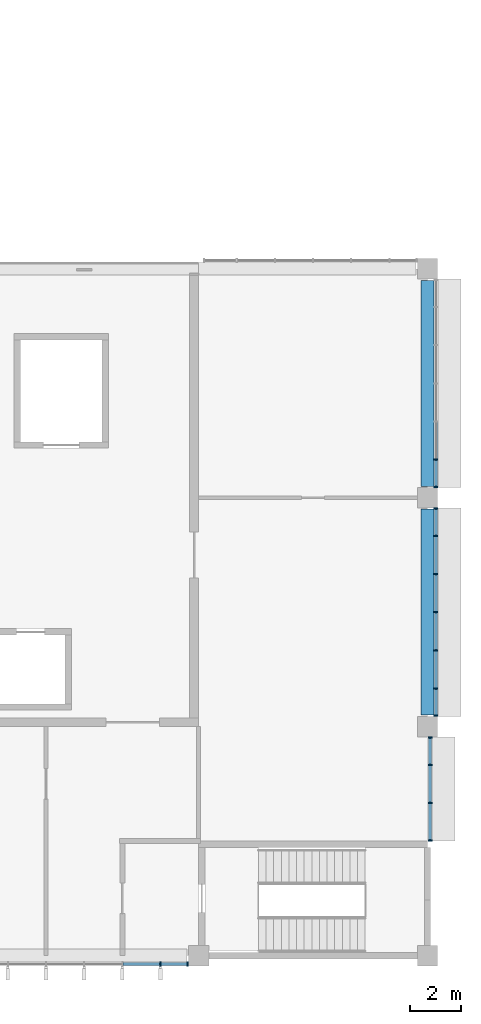
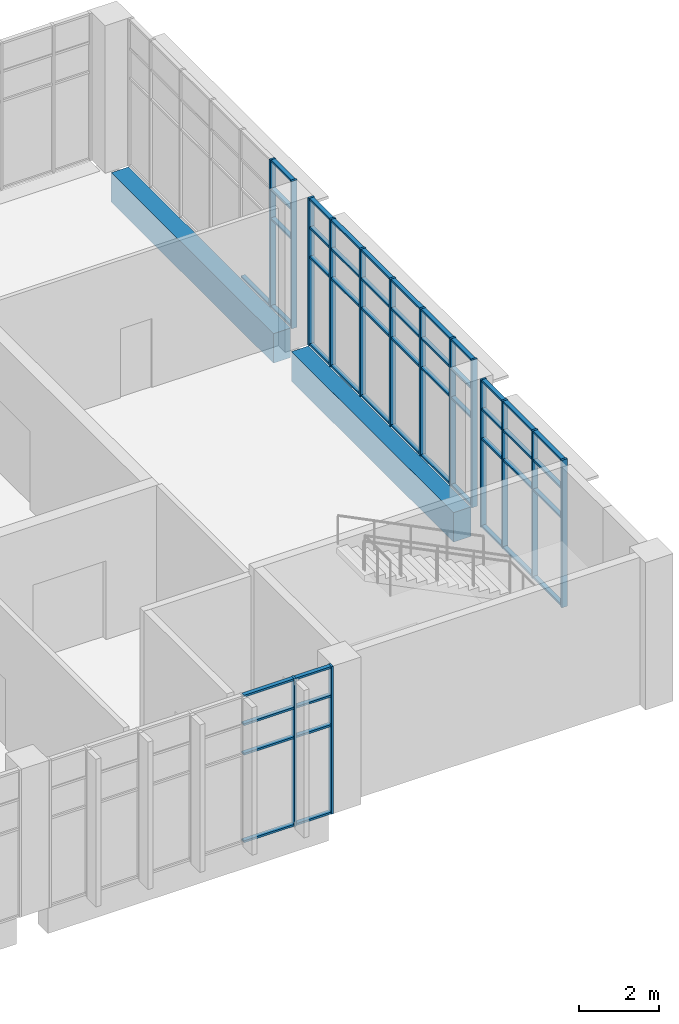
# One storey, part 13 of 40: 64 members, 2 beams, 4 elements without a shape of their own.
"""IFC4 building model written with IfcOpenShell, lengths in metres."""

import ifcopenshell
import ifcopenshell.guid

model = None  # the IFC model being written
_history = None  # IfcOwnerHistory: only IFC2X3 demands one
_inside = {}  # id of a spatial element -> (the spatial element, [elements in it])
_under = {}  # id of a project, library or spatial element -> (it, [spatial elements below it])
_declared = {}  # id of a project -> (the project, [libraries it declares])
_typed = {}  # id of a type object -> (the type object, [elements of that type])
_made_of = {}  # id of a material, layer set ... -> (it, [elements and type objects made of it])


def new_model(schema):
    """Start an empty IFC model of exactly this schema.

    Asked for "IFC4X3", IfcOpenShell would pick the latest addendum, in which some entities
    have other attributes; the version numbers below select the first issue.
    IFC2X3 requires an IfcOwnerHistory on every rooted entity: one is made here for all.
    """
    global model, _history
    if schema == "IFC4X3":
        model = ifcopenshell.file(schema_version=(4, 3, 0, 0))
    else:
        model = ifcopenshell.file(schema=schema)
    _inside.clear()
    _under.clear()
    _declared.clear()
    _typed.clear()
    _made_of.clear()
    _history = None
    if model.schema == "IFC2X3":
        org = make("IfcOrganization", Name="unknown")
        user = make(
            "IfcPersonAndOrganization",
            ThePerson=make("IfcPerson", FamilyName="unknown"),
            TheOrganization=org,
        )
        app = make(
            "IfcApplication",
            ApplicationDeveloper=org,
            Version="unknown",
            ApplicationFullName="unknown",
            ApplicationIdentifier="unknown",
        )
        _history = make(
            "IfcOwnerHistory",
            OwningUser=user,
            OwningApplication=app,
            ChangeAction="ADDED",
            CreationDate=0,
        )
    return model


def make(cls, **values):
    """One entity of the class cls with the attributes given. An attribute that is None is left unset."""
    return model.create_entity(
        cls, **{name: value for name, value in values.items() if value is not None}
    )


def rooted(cls, **values):
    """An entity with a GlobalId (a new one), such as an element, a storey or a relation."""
    return make(cls, GlobalId=ifcopenshell.guid.new(), OwnerHistory=_history, **values)


def si_unit(unit_type, name, prefix=None):
    """IfcSIUnit, for example si_unit("LENGTHUNIT", "METRE", prefix="MILLI")."""
    return make("IfcSIUnit", UnitType=unit_type, Prefix=prefix, Name=name)


def assignment(units):
    """IfcUnitAssignment: the units of a project."""
    return None if units is None else make("IfcUnitAssignment", Units=units)


def point(xyz):
    """IfcCartesianPoint."""
    return None if xyz is None else make("IfcCartesianPoint", Coordinates=xyz)


def direction(xyz):
    """IfcDirection."""
    return None if xyz is None else make("IfcDirection", DirectionRatios=xyz)


def frame(location, z_axis=None, x_axis=None):
    """IfcAxis2Placement3D, a coordinate frame: its origin and axes. An axis left out is left unset."""
    return make(
        "IfcAxis2Placement3D",
        Location=point(location),
        Axis=direction(z_axis),
        RefDirection=direction(x_axis),
    )


def frame_2d(location, x_axis=None):
    """IfcAxis2Placement2D, a coordinate frame in the plane: its origin and x axis."""
    return make(
        "IfcAxis2Placement2D", Location=point(location), RefDirection=direction(x_axis)
    )


def origin():
    """The frame at (0, 0, 0) with its axes left unset."""
    return frame((0.0, 0.0, 0.0))


def origin_2d():
    """The frame at (0, 0) in the plane with its x axis left unset."""
    return frame_2d((0.0, 0.0))


def place(relative_to, where):
    """IfcLocalPlacement: puts the frame where relative to a parent placement (None: the world)."""
    return make(
        "IfcLocalPlacement", PlacementRelTo=relative_to, RelativePlacement=where
    )


def context(
    kind, dimensions, precision=None, world=None, true_north=None, identifier=None
):
    """IfcGeometricRepresentationContext, for example the 3D "Model" context."""
    return make(
        "IfcGeometricRepresentationContext",
        ContextIdentifier=identifier,
        ContextType=kind,
        CoordinateSpaceDimension=dimensions,
        Precision=precision,
        WorldCoordinateSystem=world,
        TrueNorth=true_north,
    )


def subcontext(parent, identifier, kind, view, scale=None):
    """IfcGeometricRepresentationSubContext, for example "Body" below "Model"."""
    return make(
        "IfcGeometricRepresentationSubContext",
        ContextIdentifier=identifier,
        ContextType=kind,
        ParentContext=parent,
        TargetScale=scale,
        TargetView=view,
    )


def project(units=None, contexts=None):
    """IfcProject with its units and contexts."""
    return rooted(
        "IfcProject",
        Name="project",
        RepresentationContexts=contexts,
        UnitsInContext=assignment(units),
    )


def spatial(cls, under=None, at=None, **own):
    """A site, building, storey or space (cls), placed at a placement, below another one or the project."""
    s = rooted(cls, ObjectPlacement=at, **own)
    if under is not None:
        _under.setdefault(under.id(), (under, []))[1].append(s)
    return s


def profile(cls, at=None, kind="AREA", **sizes):
    """A parametric profile (cls). Its sizes go by their IFC names, for example OverallWidth=200.0."""
    return make(cls, ProfileType=kind, Position=at, **sizes)


def rectangle(**sizes):
    """IfcRectangleProfileDef."""
    return profile("IfcRectangleProfileDef", **sizes)


def extrude(swept, where, along, depth):
    """IfcExtrudedAreaSolid: the profile swept, set in the frame where, extruded along a direction by depth."""
    return make(
        "IfcExtrudedAreaSolid",
        SweptArea=swept,
        Position=where,
        ExtrudedDirection=direction(along),
        Depth=depth,
    )


def shape(context_of_items, identifier, shape_type, items):
    """IfcShapeRepresentation: the items that make up one representation, for example the "Body"."""
    return make(
        "IfcShapeRepresentation",
        ContextOfItems=context_of_items,
        RepresentationIdentifier=identifier,
        RepresentationType=shape_type,
        Items=items,
    )


def material(Name=None, Category=None):
    """IfcMaterial."""
    return make("IfcMaterial", Name=Name, Category=Category)


def layer(
    of_material, thickness, ventilated=None, Name=None, Category=None, Priority=None
):
    """IfcMaterialLayer: one layer of a wall or slab, of a material (None: an air gap)."""
    return make(
        "IfcMaterialLayer",
        Material=of_material,
        LayerThickness=thickness,
        IsVentilated=ventilated,
        Name=Name,
        Category=Category,
        Priority=Priority,
    )


def layer_set(layers, Name=None):
    """IfcMaterialLayerSet."""
    return make("IfcMaterialLayerSet", MaterialLayers=layers, LayerSetName=Name)


def material_profile(
    of_material, cross_section, Name=None, Category=None, Priority=None
):
    """IfcMaterialProfile: a cross section and its material."""
    return make(
        "IfcMaterialProfile",
        Name=Name,
        Material=of_material,
        Profile=cross_section,
        Priority=Priority,
        Category=Category,
    )


def profile_set(profiles, Name=None, composite=None):
    """IfcMaterialProfileSet."""
    return make(
        "IfcMaterialProfileSet",
        Name=Name,
        MaterialProfiles=profiles,
        CompositeProfile=composite,
    )


def made_of(thing, what):
    """Note that an element or type object is made of a material, layer set ...; save() writes the relation."""
    if what is not None:
        _made_of.setdefault(what.id(), (what, []))[1].append(thing)
    return thing


def type_object(cls, material=None, **own):
    """A type object (cls), such as IfcWallType, which elements share."""
    return made_of(rooted(cls, **own), material)


def element(
    cls,
    number,
    at=None,
    inside=None,
    cuts=None,
    type_object=None,
    material=None,
    context=None,
    identifier="Body",
    shape_type=None,
    held_by="IfcProductDefinitionShape",
    body=None,
    shapes=None,
    **own,
):
    """One element of the class cls, such as IfcWall. Its Tag is "e" and its number.

    at: its placement. inside: the storey or other place that contains it. cuts: it is an
    opening in that element (IfcRelVoidsElement). A single representation is given by context,
    identifier, shape_type and body (its items); several are given by shapes. held_by: the class
    of the entity that holds the representations. save() writes the other relations.
    """
    e = rooted(cls, Tag="e%d" % number, ObjectPlacement=at, **own)
    if body is not None:
        shapes = [shape(context, identifier, shape_type, body)]
    if shapes is not None:
        e.Representation = make(held_by, Representations=shapes)
    if inside is not None:
        _inside.setdefault(inside.id(), (inside, []))[1].append(e)
    if cuts is not None:
        rooted(
            "IfcRelVoidsElement", RelatingBuildingElement=cuts, RelatedOpeningElement=e
        )
    if type_object is not None:
        _typed.setdefault(type_object.id(), (type_object, []))[1].append(e)
    return made_of(e, material)


def aggregate(whole, parts):
    """IfcRelAggregates: a whole, such as a stair, and the parts it consists of."""
    return rooted("IfcRelAggregates", RelatingObject=whole, RelatedObjects=parts)


def save(model, path):
    """Write the relations noted so far, then the file.

    IfcRelAggregates (storeys below a building ...), IfcRelContainedInSpatialStructure (elements
    in a storey), IfcRelDefinesByType, IfcRelAssociatesMaterial and IfcRelDeclares: one each for
    every whole, place, type object, material and project.
    """
    for whole, parts in _under.values():
        aggregate(whole, parts)
    for where, things in _inside.values():
        rooted(
            "IfcRelContainedInSpatialStructure",
            RelatedElements=things,
            RelatingStructure=where,
        )
    for kind, things in _typed.values():
        rooted("IfcRelDefinesByType", RelatedObjects=things, RelatingType=kind)
    for what, things in _made_of.values():
        rooted("IfcRelAssociatesMaterial", RelatedObjects=things, RelatingMaterial=what)
    for by, libraries in _declared.values():
        rooted("IfcRelDeclares", RelatingContext=by, RelatedDefinitions=libraries)
    model.write(path)


model = new_model("IFC4")

# Units and contexts
model_context = context("Model", 3, precision=1e-05, world=origin(), true_north=direction((0.0, 1.0)))
body_context = subcontext(model_context, "Body", "Model", "MODEL_VIEW")
ifc_project = project(units=[si_unit("LENGTHUNIT", "METRE"), si_unit("AREAUNIT", "SQUARE_METRE"), si_unit("VOLUMEUNIT", "CUBIC_METRE"), si_unit("PLANEANGLEUNIT", "RADIAN"), si_unit("MASSUNIT", "GRAM", prefix="KILO")], contexts=[model_context])

# Site, building, storey
site_placement = place(None, origin())
site = spatial("IfcSite", under=ifc_project, at=site_placement, CompositionType="ELEMENT")
building_placement = place(site_placement, origin())
building = spatial("IfcBuilding", under=site, at=building_placement, Name="Guidao Yard Department Store", CompositionType="ELEMENT")
storey_placement = place(building_placement, frame((0.0, 0.0, 24.0)))
storey = spatial("IfcBuildingStorey", under=building, at=storey_placement, Name="L05", CompositionType="ELEMENT", Elevation=24.0)

# Curtain wall, members
ifc_material_1 = material(Name="Aluminium and glass", Category="aluminium")
ifc_layer = layer(ifc_material_1, 0.159912109375)
ifc_layer_set = layer_set([ifc_layer], Name="Unitised curtain wall CW4 1500 module")
curtain_wall_type = type_object("IfcCurtainWallType", Name="Unitised curtain wall CW4 1500 module", PredefinedType="NOTDEFINED", material=ifc_layer_set)
curtain_wall_1_placement = place(storey_placement, origin())
curtain_wall_1 = element("IfcCurtainWall", 1, at=curtain_wall_1_placement, inside=storey, type_object=curtain_wall_type, Name="Unitised curtain wall", PredefinedType="NOTDEFINED")
ifc_material_2 = material(Name="Aluminium 6063-T5", Category="aluminium")
ifc_material_profile_1 = material_profile(ifc_material_2, rectangle(XDim=0.06005859375, YDim=0.159912109375, at=origin_2d()), Name="Mullion M1 60 x 160 aluminium pressure plate")
ifc_profile_set_1 = profile_set([ifc_material_profile_1], Name="Aluminium 6063-T5")
member_type_1 = type_object("IfcMemberType", Name="Mullion M1 60 x 160 aluminium pressure plate", PredefinedType="MULLION", material=ifc_profile_set_1)
member_1_placement = place(storey_placement, frame((160.5, -0.330078125, 0.0), z_axis=(0.0, 0.0, 1.0), x_axis=(-1.0, 0.0, 0.0)))
member_1 = element("IfcMember", 2, at=member_1_placement, type_object=member_type_1, Name="CW-OW-L05-04 mullion 6", PredefinedType="MULLION", context=body_context, shape_type="SweptSolid", body=[
    extrude(rectangle(XDim=0.06005859375, YDim=0.159912109375, at=origin_2d()), origin(), (0.0, 0.0, 1.0), 4.5),
])
member_2_placement = place(storey_placement, frame((161.570068359375, -0.330078125, 0.0), z_axis=(0.0, 0.0, 1.0), x_axis=(-1.0, 0.0, 0.0)))
member_2 = element("IfcMember", 3, at=member_2_placement, type_object=member_type_1, Name="CW-OW-L05-04 mullion 7", PredefinedType="MULLION", context=body_context, shape_type="SweptSolid", body=[
    extrude(rectangle(XDim=0.06005859375, YDim=0.159912109375, at=origin_2d()), origin(), (0.0, 0.0, 1.0), 4.5),
])

curtain_wall_2_placement = place(storey_placement, origin())
curtain_wall_2 = element("IfcCurtainWall", 4, at=curtain_wall_2_placement, inside=storey, type_object=curtain_wall_type, Name="Unitised curtain wall", PredefinedType="NOTDEFINED")
member_3_placement = place(storey_placement, frame((171.10009765625, 4.530029296875, 0.0), z_axis=(0.0, 0.0, 1.0), x_axis=(0.0, -1.0, 0.0)))
member_3 = element("IfcMember", 5, at=member_3_placement, type_object=member_type_1, Name="CW-OW-L05-09 mullion 1", PredefinedType="MULLION", context=body_context, shape_type="SweptSolid", body=[
    extrude(rectangle(XDim=0.06005859375, YDim=0.159912109375, at=origin_2d()), origin(), (0.0, 0.0, 1.0), 4.5),
])
member_4_placement = place(storey_placement, frame((171.10009765625, 6.0, 0.0), z_axis=(0.0, 0.0, 1.0), x_axis=(0.0, -1.0, 0.0)))
member_4 = element("IfcMember", 6, at=member_4_placement, type_object=member_type_1, Name="CW-OW-L05-09 mullion 2", PredefinedType="MULLION", context=body_context, shape_type="SweptSolid", body=[
    extrude(rectangle(XDim=0.06005859375, YDim=0.159912109375, at=origin_2d()), origin(), (0.0, 0.0, 1.0), 4.5),
])
member_5_placement = place(storey_placement, frame((171.10009765625, 7.5, 0.0), z_axis=(0.0, 0.0, 1.0), x_axis=(0.0, -1.0, 0.0)))
member_5 = element("IfcMember", 7, at=member_5_placement, type_object=member_type_1, Name="CW-OW-L05-09 mullion 3", PredefinedType="MULLION", context=body_context, shape_type="SweptSolid", body=[
    extrude(rectangle(XDim=0.06005859375, YDim=0.159912109375, at=origin_2d()), origin(), (0.0, 0.0, 1.0), 4.5),
])
member_6_placement = place(storey_placement, frame((171.10009765625, 8.570068359375, 0.0), z_axis=(0.0, 0.0, 1.0), x_axis=(0.0, -1.0, 0.0)))
member_6 = element("IfcMember", 8, at=member_6_placement, type_object=member_type_1, Name="CW-OW-L05-09 mullion 4", PredefinedType="MULLION", context=body_context, shape_type="SweptSolid", body=[
    extrude(rectangle(XDim=0.06005859375, YDim=0.159912109375, at=origin_2d()), origin(), (0.0, 0.0, 1.0), 4.5),
])

curtain_wall_3_placement = place(storey_placement, origin())
curtain_wall_3 = element("IfcCurtainWall", 9, at=curtain_wall_3_placement, inside=storey, type_object=curtain_wall_type, Name="Unitised curtain wall", PredefinedType="NOTDEFINED")
member_7_placement = place(storey_placement, frame((171.330078125, 9.429931640625, 0.0), z_axis=(0.0, 0.0, 1.0), x_axis=(0.0, -1.0, 0.0)))
member_7 = element("IfcMember", 10, at=member_7_placement, type_object=member_type_1, Name="CW-OW-L05-10 mullion 1", PredefinedType="MULLION", context=body_context, shape_type="SweptSolid", body=[
    extrude(rectangle(XDim=0.06005859375, YDim=0.159912109375, at=origin_2d()), origin(), (0.0, 0.0, 1.0), 4.5),
])
member_8_placement = place(storey_placement, frame((171.330078125, 10.5, 0.0), z_axis=(0.0, 0.0, 1.0), x_axis=(0.0, -1.0, 0.0)))
member_8 = element("IfcMember", 11, at=member_8_placement, type_object=member_type_1, Name="CW-OW-L05-10 mullion 2", PredefinedType="MULLION", context=body_context, shape_type="SweptSolid", body=[
    extrude(rectangle(XDim=0.06005859375, YDim=0.159912109375, at=origin_2d()), origin(), (0.0, 0.0, 1.0), 4.5),
])
member_9_placement = place(storey_placement, frame((171.330078125, 12.0, 0.0), z_axis=(0.0, 0.0, 1.0), x_axis=(0.0, -1.0, 0.0)))
member_9 = element("IfcMember", 12, at=member_9_placement, type_object=member_type_1, Name="CW-OW-L05-10 mullion 3", PredefinedType="MULLION", context=body_context, shape_type="SweptSolid", body=[
    extrude(rectangle(XDim=0.06005859375, YDim=0.159912109375, at=origin_2d()), origin(), (0.0, 0.0, 1.0), 4.5),
])
member_10_placement = place(storey_placement, frame((171.330078125, 13.5, 0.0), z_axis=(0.0, 0.0, 1.0), x_axis=(0.0, -1.0, 0.0)))
member_10 = element("IfcMember", 13, at=member_10_placement, type_object=member_type_1, Name="CW-OW-L05-10 mullion 4", PredefinedType="MULLION", context=body_context, shape_type="SweptSolid", body=[
    extrude(rectangle(XDim=0.06005859375, YDim=0.159912109375, at=origin_2d()), origin(), (0.0, 0.0, 1.0), 4.5),
])
member_11_placement = place(storey_placement, frame((171.330078125, 15.0, 0.0), z_axis=(0.0, 0.0, 1.0), x_axis=(0.0, -1.0, 0.0)))
member_11 = element("IfcMember", 14, at=member_11_placement, type_object=member_type_1, Name="CW-OW-L05-10 mullion 5", PredefinedType="MULLION", context=body_context, shape_type="SweptSolid", body=[
    extrude(rectangle(XDim=0.06005859375, YDim=0.159912109375, at=origin_2d()), origin(), (0.0, 0.0, 1.0), 4.5),
])
member_12_placement = place(storey_placement, frame((171.330078125, 16.5, 0.0), z_axis=(0.0, 0.0, 1.0), x_axis=(0.0, -1.0, 0.0)))
member_12 = element("IfcMember", 15, at=member_12_placement, type_object=member_type_1, Name="CW-OW-L05-10 mullion 6", PredefinedType="MULLION", context=body_context, shape_type="SweptSolid", body=[
    extrude(rectangle(XDim=0.06005859375, YDim=0.159912109375, at=origin_2d()), origin(), (0.0, 0.0, 1.0), 4.5),
])
member_13_placement = place(storey_placement, frame((171.330078125, 17.570068359375, 0.0), z_axis=(0.0, 0.0, 1.0), x_axis=(0.0, -1.0, 0.0)))
member_13 = element("IfcMember", 16, at=member_13_placement, type_object=member_type_1, Name="CW-OW-L05-10 mullion 7", PredefinedType="MULLION", context=body_context, shape_type="SweptSolid", body=[
    extrude(rectangle(XDim=0.06005859375, YDim=0.159912109375, at=origin_2d()), origin(), (0.0, 0.0, 1.0), 4.5),
])

curtain_wall_4_placement = place(storey_placement, origin())
curtain_wall_4 = element("IfcCurtainWall", 17, at=curtain_wall_4_placement, inside=storey, type_object=curtain_wall_type, Name="Unitised curtain wall", PredefinedType="NOTDEFINED")
member_14_placement = place(storey_placement, frame((171.330078125, 18.429931640625, 0.0), z_axis=(0.0, 0.0, 1.0), x_axis=(0.0, -1.0, 0.0)))
member_14 = element("IfcMember", 18, at=member_14_placement, type_object=member_type_1, Name="CW-OW-L05-11 mullion 1", PredefinedType="MULLION", context=body_context, shape_type="SweptSolid", body=[
    extrude(rectangle(XDim=0.06005859375, YDim=0.159912109375, at=origin_2d()), origin(), (0.0, 0.0, 1.0), 4.5),
])
member_15_placement = place(storey_placement, frame((171.330078125, 19.5, 0.0), z_axis=(0.0, 0.0, 1.0), x_axis=(0.0, -1.0, 0.0)))
member_15 = element("IfcMember", 19, at=member_15_placement, type_object=member_type_1, Name="CW-OW-L05-11 mullion 2", PredefinedType="MULLION", context=body_context, shape_type="SweptSolid", body=[
    extrude(rectangle(XDim=0.06005859375, YDim=0.159912109375, at=origin_2d()), origin(), (0.0, 0.0, 1.0), 4.5),
])

# Beams
ifc_material_3 = material(Name="Concrete C40", Category="concrete")
ifc_material_profile_2 = material_profile(ifc_material_3, rectangle(XDim=0.5, YDim=0.89990234375, at=origin_2d()), Name="Spandrel beam 500 x 900 C40")
ifc_profile_set_2 = profile_set([ifc_material_profile_2], Name="Concrete C40")
beam_type = type_object("IfcBeamType", Name="Spandrel beam 500 x 900 C40", PredefinedType="SPANDREL", material=ifc_profile_set_2)
for number, where, z_axis, x_axis, name in (
    (20, (171.0, 9.449951171875, -0.449951171875), (0.0, 1.0, 0.0), (-1.0, 0.0, 0.0), "Beam FB09"),
    (21, (171.0, 18.449951171875, -0.449951171875), (0.0, 1.0, 0.0), (-1.0, 0.0, 0.0), "Beam FB10"),
):
    element("IfcBeam", number, at=place(storey_placement, frame(where, z_axis=z_axis, x_axis=x_axis)), inside=storey, type_object=beam_type, Name=name, PredefinedType="SPANDREL", context=body_context, shape_type="SweptSolid", body=[
        extrude(rectangle(XDim=0.5, YDim=0.89990234375, at=origin_2d()), origin(), (0.0, 0.0, 1.0), 8.10009765625),
    ])

# Member
ifc_material_4 = material(Name="Aluminium 6063-T5", Category="aluminium")
ifc_material_profile_3 = material_profile(ifc_material_4, rectangle(XDim=0.1201171875, YDim=0.06005859375, at=origin_2d()), Name="Transom T1 60 x 120 aluminium pressure plate")
ifc_profile_set_3 = profile_set([ifc_material_profile_3], Name="Aluminium 6063-T5")
member_type_2 = type_object("IfcMemberType", Name="Transom T1 60 x 120 aluminium pressure plate", PredefinedType="USERDEFINED", material=ifc_profile_set_3)
member_16_placement = place(storey_placement, frame((160.469970703125, -0.330078125, 0.030029296875), z_axis=(-1.0, 0.0, 0.0), x_axis=(0.0, -1.0, 0.0)))
member_16 = element("IfcMember", 22, at=member_16_placement, type_object=member_type_2, Name="CW-OW-L05-04 transom 5.1", ObjectType="TRANSOM", PredefinedType="USERDEFINED", context=body_context, shape_type="SweptSolid", body=[
    extrude(rectangle(XDim=0.1201171875, YDim=0.06005859375, at=origin_2d()), origin(), (0.0, 0.0, 1.0), 1.43994140625),
])

member_17_placement = place(storey_placement, frame((160.469970703125, -0.330078125, 2.699951171875), z_axis=(-1.0, 0.0, 0.0), x_axis=(0.0, -1.0, 0.0)))
member_17 = element("IfcMember", 23, at=member_17_placement, type_object=member_type_2, Name="CW-OW-L05-04 transom 5.2", ObjectType="TRANSOM", PredefinedType="USERDEFINED", context=body_context, shape_type="SweptSolid", body=[
    extrude(rectangle(XDim=0.1201171875, YDim=0.06005859375, at=origin_2d()), origin(), (0.0, 0.0, 1.0), 1.43994140625),
])

member_18_placement = place(storey_placement, frame((160.469970703125, -0.330078125, 3.60009765625), z_axis=(-1.0, 0.0, 0.0), x_axis=(0.0, -1.0, 0.0)))
member_18 = element("IfcMember", 24, at=member_18_placement, type_object=member_type_2, Name="CW-OW-L05-04 transom 5.3", ObjectType="TRANSOM", PredefinedType="USERDEFINED", context=body_context, shape_type="SweptSolid", body=[
    extrude(rectangle(XDim=0.1201171875, YDim=0.06005859375, at=origin_2d()), origin(), (0.0, 0.0, 1.0), 1.43994140625),
])

member_19_placement = place(storey_placement, frame((160.469970703125, -0.330078125, 4.469970703125), z_axis=(-1.0, 0.0, 0.0), x_axis=(0.0, -1.0, 0.0)))
member_19 = element("IfcMember", 25, at=member_19_placement, type_object=member_type_2, Name="CW-OW-L05-04 transom 5.4", ObjectType="TRANSOM", PredefinedType="USERDEFINED", context=body_context, shape_type="SweptSolid", body=[
    extrude(rectangle(XDim=0.1201171875, YDim=0.06005859375, at=origin_2d()), origin(), (0.0, 0.0, 1.0), 1.43994140625),
])

member_20_placement = place(storey_placement, frame((161.5400390625, -0.330078125, 0.030029296875), z_axis=(-1.0, 0.0, 0.0), x_axis=(0.0, -1.0, 0.0)))
member_20 = element("IfcMember", 26, at=member_20_placement, type_object=member_type_2, Name="CW-OW-L05-04 transom 6.1", ObjectType="TRANSOM", PredefinedType="USERDEFINED", context=body_context, shape_type="SweptSolid", body=[
    extrude(rectangle(XDim=0.1201171875, YDim=0.06005859375, at=origin_2d()), origin(), (0.0, 0.0, 1.0), 1.010009765625),
])

member_21_placement = place(storey_placement, frame((161.5400390625, -0.330078125, 2.699951171875), z_axis=(-1.0, 0.0, 0.0), x_axis=(0.0, -1.0, 0.0)))
member_21 = element("IfcMember", 27, at=member_21_placement, type_object=member_type_2, Name="CW-OW-L05-04 transom 6.2", ObjectType="TRANSOM", PredefinedType="USERDEFINED", context=body_context, shape_type="SweptSolid", body=[
    extrude(rectangle(XDim=0.1201171875, YDim=0.06005859375, at=origin_2d()), origin(), (0.0, 0.0, 1.0), 1.010009765625),
])

member_22_placement = place(storey_placement, frame((161.5400390625, -0.330078125, 3.60009765625), z_axis=(-1.0, 0.0, 0.0), x_axis=(0.0, -1.0, 0.0)))
member_22 = element("IfcMember", 28, at=member_22_placement, type_object=member_type_2, Name="CW-OW-L05-04 transom 6.3", ObjectType="TRANSOM", PredefinedType="USERDEFINED", context=body_context, shape_type="SweptSolid", body=[
    extrude(rectangle(XDim=0.1201171875, YDim=0.06005859375, at=origin_2d()), origin(), (0.0, 0.0, 1.0), 1.010009765625),
])

member_23_placement = place(storey_placement, frame((161.5400390625, -0.330078125, 4.469970703125), z_axis=(-1.0, 0.0, 0.0), x_axis=(0.0, -1.0, 0.0)))
member_23 = element("IfcMember", 29, at=member_23_placement, type_object=member_type_2, Name="CW-OW-L05-04 transom 6.4", ObjectType="TRANSOM", PredefinedType="USERDEFINED", context=body_context, shape_type="SweptSolid", body=[
    extrude(rectangle(XDim=0.1201171875, YDim=0.06005859375, at=origin_2d()), origin(), (0.0, 0.0, 1.0), 1.010009765625),
])

aggregate(curtain_wall_1, [member_1, member_2, member_16, member_17, member_18, member_19, member_20, member_21, member_22, member_23])

member_24_placement = place(storey_placement, frame((171.10009765625, 5.969970703125, 0.030029296875), z_axis=(0.0, -1.0, 0.0), x_axis=(1.0, 0.0, 0.0)))
member_24 = element("IfcMember", 30, at=member_24_placement, type_object=member_type_2, Name="CW-OW-L05-09 transom 1.1", ObjectType="TRANSOM", PredefinedType="USERDEFINED", context=body_context, shape_type="SweptSolid", body=[
    extrude(rectangle(XDim=0.1201171875, YDim=0.06005859375, at=origin_2d()), origin(), (0.0, 0.0, 1.0), 1.409912109375),
])

member_25_placement = place(storey_placement, frame((171.10009765625, 5.969970703125, 2.699951171875), z_axis=(0.0, -1.0, 0.0), x_axis=(1.0, 0.0, 0.0)))
member_25 = element("IfcMember", 31, at=member_25_placement, type_object=member_type_2, Name="CW-OW-L05-09 transom 1.2", ObjectType="TRANSOM", PredefinedType="USERDEFINED", context=body_context, shape_type="SweptSolid", body=[
    extrude(rectangle(XDim=0.1201171875, YDim=0.06005859375, at=origin_2d()), origin(), (0.0, 0.0, 1.0), 1.409912109375),
])

member_26_placement = place(storey_placement, frame((171.10009765625, 5.969970703125, 3.60009765625), z_axis=(0.0, -1.0, 0.0), x_axis=(1.0, 0.0, 0.0)))
member_26 = element("IfcMember", 32, at=member_26_placement, type_object=member_type_2, Name="CW-OW-L05-09 transom 1.3", ObjectType="TRANSOM", PredefinedType="USERDEFINED", context=body_context, shape_type="SweptSolid", body=[
    extrude(rectangle(XDim=0.1201171875, YDim=0.06005859375, at=origin_2d()), origin(), (0.0, 0.0, 1.0), 1.409912109375),
])

member_27_placement = place(storey_placement, frame((171.10009765625, 5.969970703125, 4.469970703125), z_axis=(0.0, -1.0, 0.0), x_axis=(1.0, 0.0, 0.0)))
member_27 = element("IfcMember", 33, at=member_27_placement, type_object=member_type_2, Name="CW-OW-L05-09 transom 1.4", ObjectType="TRANSOM", PredefinedType="USERDEFINED", context=body_context, shape_type="SweptSolid", body=[
    extrude(rectangle(XDim=0.1201171875, YDim=0.06005859375, at=origin_2d()), origin(), (0.0, 0.0, 1.0), 1.409912109375),
])

member_28_placement = place(storey_placement, frame((171.10009765625, 7.469970703125, 0.030029296875), z_axis=(0.0, -1.0, 0.0), x_axis=(1.0, 0.0, 0.0)))
member_28 = element("IfcMember", 34, at=member_28_placement, type_object=member_type_2, Name="CW-OW-L05-09 transom 2.1", ObjectType="TRANSOM", PredefinedType="USERDEFINED", context=body_context, shape_type="SweptSolid", body=[
    extrude(rectangle(XDim=0.1201171875, YDim=0.06005859375, at=origin_2d()), origin(), (0.0, 0.0, 1.0), 1.43994140625),
])

member_29_placement = place(storey_placement, frame((171.10009765625, 7.469970703125, 2.699951171875), z_axis=(0.0, -1.0, 0.0), x_axis=(1.0, 0.0, 0.0)))
member_29 = element("IfcMember", 35, at=member_29_placement, type_object=member_type_2, Name="CW-OW-L05-09 transom 2.2", ObjectType="TRANSOM", PredefinedType="USERDEFINED", context=body_context, shape_type="SweptSolid", body=[
    extrude(rectangle(XDim=0.1201171875, YDim=0.06005859375, at=origin_2d()), origin(), (0.0, 0.0, 1.0), 1.43994140625),
])

member_30_placement = place(storey_placement, frame((171.10009765625, 7.469970703125, 3.60009765625), z_axis=(0.0, -1.0, 0.0), x_axis=(1.0, 0.0, 0.0)))
member_30 = element("IfcMember", 36, at=member_30_placement, type_object=member_type_2, Name="CW-OW-L05-09 transom 2.3", ObjectType="TRANSOM", PredefinedType="USERDEFINED", context=body_context, shape_type="SweptSolid", body=[
    extrude(rectangle(XDim=0.1201171875, YDim=0.06005859375, at=origin_2d()), origin(), (0.0, 0.0, 1.0), 1.43994140625),
])

member_31_placement = place(storey_placement, frame((171.10009765625, 7.469970703125, 4.469970703125), z_axis=(0.0, -1.0, 0.0), x_axis=(1.0, 0.0, 0.0)))
member_31 = element("IfcMember", 37, at=member_31_placement, type_object=member_type_2, Name="CW-OW-L05-09 transom 2.4", ObjectType="TRANSOM", PredefinedType="USERDEFINED", context=body_context, shape_type="SweptSolid", body=[
    extrude(rectangle(XDim=0.1201171875, YDim=0.06005859375, at=origin_2d()), origin(), (0.0, 0.0, 1.0), 1.43994140625),
])

member_32_placement = place(storey_placement, frame((171.10009765625, 8.5400390625, 0.030029296875), z_axis=(0.0, -1.0, 0.0), x_axis=(1.0, 0.0, 0.0)))
member_32 = element("IfcMember", 38, at=member_32_placement, type_object=member_type_2, Name="CW-OW-L05-09 transom 3.1", ObjectType="TRANSOM", PredefinedType="USERDEFINED", context=body_context, shape_type="SweptSolid", body=[
    extrude(rectangle(XDim=0.1201171875, YDim=0.06005859375, at=origin_2d()), origin(), (0.0, 0.0, 1.0), 1.010009765625),
])

member_33_placement = place(storey_placement, frame((171.10009765625, 8.5400390625, 2.699951171875), z_axis=(0.0, -1.0, 0.0), x_axis=(1.0, 0.0, 0.0)))
member_33 = element("IfcMember", 39, at=member_33_placement, type_object=member_type_2, Name="CW-OW-L05-09 transom 3.2", ObjectType="TRANSOM", PredefinedType="USERDEFINED", context=body_context, shape_type="SweptSolid", body=[
    extrude(rectangle(XDim=0.1201171875, YDim=0.06005859375, at=origin_2d()), origin(), (0.0, 0.0, 1.0), 1.010009765625),
])

member_34_placement = place(storey_placement, frame((171.10009765625, 8.5400390625, 3.60009765625), z_axis=(0.0, -1.0, 0.0), x_axis=(1.0, 0.0, 0.0)))
member_34 = element("IfcMember", 40, at=member_34_placement, type_object=member_type_2, Name="CW-OW-L05-09 transom 3.3", ObjectType="TRANSOM", PredefinedType="USERDEFINED", context=body_context, shape_type="SweptSolid", body=[
    extrude(rectangle(XDim=0.1201171875, YDim=0.06005859375, at=origin_2d()), origin(), (0.0, 0.0, 1.0), 1.010009765625),
])

member_35_placement = place(storey_placement, frame((171.10009765625, 8.5400390625, 4.469970703125), z_axis=(0.0, -1.0, 0.0), x_axis=(1.0, 0.0, 0.0)))
member_35 = element("IfcMember", 41, at=member_35_placement, type_object=member_type_2, Name="CW-OW-L05-09 transom 3.4", ObjectType="TRANSOM", PredefinedType="USERDEFINED", context=body_context, shape_type="SweptSolid", body=[
    extrude(rectangle(XDim=0.1201171875, YDim=0.06005859375, at=origin_2d()), origin(), (0.0, 0.0, 1.0), 1.010009765625),
])

aggregate(curtain_wall_2, [member_3, member_4, member_5, member_6, member_24, member_25, member_26, member_27, member_28, member_29, member_30, member_31, member_32, member_33, member_34, member_35])

member_36_placement = place(storey_placement, frame((171.330078125, 10.469970703125, 0.030029296875), z_axis=(0.0, -1.0, 0.0), x_axis=(1.0, 0.0, 0.0)))
member_36 = element("IfcMember", 42, at=member_36_placement, type_object=member_type_2, Name="CW-OW-L05-10 transom 1.1", ObjectType="TRANSOM", PredefinedType="USERDEFINED", context=body_context, shape_type="SweptSolid", body=[
    extrude(rectangle(XDim=0.1201171875, YDim=0.06005859375, at=origin_2d()), origin(), (0.0, 0.0, 1.0), 1.010009765625),
])

member_37_placement = place(storey_placement, frame((171.330078125, 10.469970703125, 2.699951171875), z_axis=(0.0, -1.0, 0.0), x_axis=(1.0, 0.0, 0.0)))
member_37 = element("IfcMember", 43, at=member_37_placement, type_object=member_type_2, Name="CW-OW-L05-10 transom 1.2", ObjectType="TRANSOM", PredefinedType="USERDEFINED", context=body_context, shape_type="SweptSolid", body=[
    extrude(rectangle(XDim=0.1201171875, YDim=0.06005859375, at=origin_2d()), origin(), (0.0, 0.0, 1.0), 1.010009765625),
])

member_38_placement = place(storey_placement, frame((171.330078125, 10.469970703125, 3.60009765625), z_axis=(0.0, -1.0, 0.0), x_axis=(1.0, 0.0, 0.0)))
member_38 = element("IfcMember", 44, at=member_38_placement, type_object=member_type_2, Name="CW-OW-L05-10 transom 1.3", ObjectType="TRANSOM", PredefinedType="USERDEFINED", context=body_context, shape_type="SweptSolid", body=[
    extrude(rectangle(XDim=0.1201171875, YDim=0.06005859375, at=origin_2d()), origin(), (0.0, 0.0, 1.0), 1.010009765625),
])

member_39_placement = place(storey_placement, frame((171.330078125, 10.469970703125, 4.469970703125), z_axis=(0.0, -1.0, 0.0), x_axis=(1.0, 0.0, 0.0)))
member_39 = element("IfcMember", 45, at=member_39_placement, type_object=member_type_2, Name="CW-OW-L05-10 transom 1.4", ObjectType="TRANSOM", PredefinedType="USERDEFINED", context=body_context, shape_type="SweptSolid", body=[
    extrude(rectangle(XDim=0.1201171875, YDim=0.06005859375, at=origin_2d()), origin(), (0.0, 0.0, 1.0), 1.010009765625),
])

member_40_placement = place(storey_placement, frame((171.330078125, 11.969970703125, 0.030029296875), z_axis=(0.0, -1.0, 0.0), x_axis=(1.0, 0.0, 0.0)))
member_40 = element("IfcMember", 46, at=member_40_placement, type_object=member_type_2, Name="CW-OW-L05-10 transom 2.1", ObjectType="TRANSOM", PredefinedType="USERDEFINED", context=body_context, shape_type="SweptSolid", body=[
    extrude(rectangle(XDim=0.1201171875, YDim=0.06005859375, at=origin_2d()), origin(), (0.0, 0.0, 1.0), 1.43994140625),
])

member_41_placement = place(storey_placement, frame((171.330078125, 11.969970703125, 2.699951171875), z_axis=(0.0, -1.0, 0.0), x_axis=(1.0, 0.0, 0.0)))
member_41 = element("IfcMember", 47, at=member_41_placement, type_object=member_type_2, Name="CW-OW-L05-10 transom 2.2", ObjectType="TRANSOM", PredefinedType="USERDEFINED", context=body_context, shape_type="SweptSolid", body=[
    extrude(rectangle(XDim=0.1201171875, YDim=0.06005859375, at=origin_2d()), origin(), (0.0, 0.0, 1.0), 1.43994140625),
])

member_42_placement = place(storey_placement, frame((171.330078125, 11.969970703125, 3.60009765625), z_axis=(0.0, -1.0, 0.0), x_axis=(1.0, 0.0, 0.0)))
member_42 = element("IfcMember", 48, at=member_42_placement, type_object=member_type_2, Name="CW-OW-L05-10 transom 2.3", ObjectType="TRANSOM", PredefinedType="USERDEFINED", context=body_context, shape_type="SweptSolid", body=[
    extrude(rectangle(XDim=0.1201171875, YDim=0.06005859375, at=origin_2d()), origin(), (0.0, 0.0, 1.0), 1.43994140625),
])

member_43_placement = place(storey_placement, frame((171.330078125, 11.969970703125, 4.469970703125), z_axis=(0.0, -1.0, 0.0), x_axis=(1.0, 0.0, 0.0)))
member_43 = element("IfcMember", 49, at=member_43_placement, type_object=member_type_2, Name="CW-OW-L05-10 transom 2.4", ObjectType="TRANSOM", PredefinedType="USERDEFINED", context=body_context, shape_type="SweptSolid", body=[
    extrude(rectangle(XDim=0.1201171875, YDim=0.06005859375, at=origin_2d()), origin(), (0.0, 0.0, 1.0), 1.43994140625),
])

member_44_placement = place(storey_placement, frame((171.330078125, 13.469970703125, 0.030029296875), z_axis=(0.0, -1.0, 0.0), x_axis=(1.0, 0.0, 0.0)))
member_44 = element("IfcMember", 50, at=member_44_placement, type_object=member_type_2, Name="CW-OW-L05-10 transom 3.1", ObjectType="TRANSOM", PredefinedType="USERDEFINED", context=body_context, shape_type="SweptSolid", body=[
    extrude(rectangle(XDim=0.1201171875, YDim=0.06005859375, at=origin_2d()), origin(), (0.0, 0.0, 1.0), 1.43994140625),
])

member_45_placement = place(storey_placement, frame((171.330078125, 13.469970703125, 2.699951171875), z_axis=(0.0, -1.0, 0.0), x_axis=(1.0, 0.0, 0.0)))
member_45 = element("IfcMember", 51, at=member_45_placement, type_object=member_type_2, Name="CW-OW-L05-10 transom 3.2", ObjectType="TRANSOM", PredefinedType="USERDEFINED", context=body_context, shape_type="SweptSolid", body=[
    extrude(rectangle(XDim=0.1201171875, YDim=0.06005859375, at=origin_2d()), origin(), (0.0, 0.0, 1.0), 1.43994140625),
])

member_46_placement = place(storey_placement, frame((171.330078125, 13.469970703125, 3.60009765625), z_axis=(0.0, -1.0, 0.0), x_axis=(1.0, 0.0, 0.0)))
member_46 = element("IfcMember", 52, at=member_46_placement, type_object=member_type_2, Name="CW-OW-L05-10 transom 3.3", ObjectType="TRANSOM", PredefinedType="USERDEFINED", context=body_context, shape_type="SweptSolid", body=[
    extrude(rectangle(XDim=0.1201171875, YDim=0.06005859375, at=origin_2d()), origin(), (0.0, 0.0, 1.0), 1.43994140625),
])

member_47_placement = place(storey_placement, frame((171.330078125, 13.469970703125, 4.469970703125), z_axis=(0.0, -1.0, 0.0), x_axis=(1.0, 0.0, 0.0)))
member_47 = element("IfcMember", 53, at=member_47_placement, type_object=member_type_2, Name="CW-OW-L05-10 transom 3.4", ObjectType="TRANSOM", PredefinedType="USERDEFINED", context=body_context, shape_type="SweptSolid", body=[
    extrude(rectangle(XDim=0.1201171875, YDim=0.06005859375, at=origin_2d()), origin(), (0.0, 0.0, 1.0), 1.43994140625),
])

member_48_placement = place(storey_placement, frame((171.330078125, 14.969970703125, 0.030029296875), z_axis=(0.0, -1.0, 0.0), x_axis=(1.0, 0.0, 0.0)))
member_48 = element("IfcMember", 54, at=member_48_placement, type_object=member_type_2, Name="CW-OW-L05-10 transom 4.1", ObjectType="TRANSOM", PredefinedType="USERDEFINED", context=body_context, shape_type="SweptSolid", body=[
    extrude(rectangle(XDim=0.1201171875, YDim=0.06005859375, at=origin_2d()), origin(), (0.0, 0.0, 1.0), 1.43994140625),
])

member_49_placement = place(storey_placement, frame((171.330078125, 14.969970703125, 2.699951171875), z_axis=(0.0, -1.0, 0.0), x_axis=(1.0, 0.0, 0.0)))
member_49 = element("IfcMember", 55, at=member_49_placement, type_object=member_type_2, Name="CW-OW-L05-10 transom 4.2", ObjectType="TRANSOM", PredefinedType="USERDEFINED", context=body_context, shape_type="SweptSolid", body=[
    extrude(rectangle(XDim=0.1201171875, YDim=0.06005859375, at=origin_2d()), origin(), (0.0, 0.0, 1.0), 1.43994140625),
])

member_50_placement = place(storey_placement, frame((171.330078125, 14.969970703125, 3.60009765625), z_axis=(0.0, -1.0, 0.0), x_axis=(1.0, 0.0, 0.0)))
member_50 = element("IfcMember", 56, at=member_50_placement, type_object=member_type_2, Name="CW-OW-L05-10 transom 4.3", ObjectType="TRANSOM", PredefinedType="USERDEFINED", context=body_context, shape_type="SweptSolid", body=[
    extrude(rectangle(XDim=0.1201171875, YDim=0.06005859375, at=origin_2d()), origin(), (0.0, 0.0, 1.0), 1.43994140625),
])

member_51_placement = place(storey_placement, frame((171.330078125, 14.969970703125, 4.469970703125), z_axis=(0.0, -1.0, 0.0), x_axis=(1.0, 0.0, 0.0)))
member_51 = element("IfcMember", 57, at=member_51_placement, type_object=member_type_2, Name="CW-OW-L05-10 transom 4.4", ObjectType="TRANSOM", PredefinedType="USERDEFINED", context=body_context, shape_type="SweptSolid", body=[
    extrude(rectangle(XDim=0.1201171875, YDim=0.06005859375, at=origin_2d()), origin(), (0.0, 0.0, 1.0), 1.43994140625),
])

member_52_placement = place(storey_placement, frame((171.330078125, 16.469970703125, 0.030029296875), z_axis=(0.0, -1.0, 0.0), x_axis=(1.0, 0.0, 0.0)))
member_52 = element("IfcMember", 58, at=member_52_placement, type_object=member_type_2, Name="CW-OW-L05-10 transom 5.1", ObjectType="TRANSOM", PredefinedType="USERDEFINED", context=body_context, shape_type="SweptSolid", body=[
    extrude(rectangle(XDim=0.1201171875, YDim=0.06005859375, at=origin_2d()), origin(), (0.0, 0.0, 1.0), 1.43994140625),
])

member_53_placement = place(storey_placement, frame((171.330078125, 16.469970703125, 2.699951171875), z_axis=(0.0, -1.0, 0.0), x_axis=(1.0, 0.0, 0.0)))
member_53 = element("IfcMember", 59, at=member_53_placement, type_object=member_type_2, Name="CW-OW-L05-10 transom 5.2", ObjectType="TRANSOM", PredefinedType="USERDEFINED", context=body_context, shape_type="SweptSolid", body=[
    extrude(rectangle(XDim=0.1201171875, YDim=0.06005859375, at=origin_2d()), origin(), (0.0, 0.0, 1.0), 1.43994140625),
])

member_54_placement = place(storey_placement, frame((171.330078125, 16.469970703125, 3.60009765625), z_axis=(0.0, -1.0, 0.0), x_axis=(1.0, 0.0, 0.0)))
member_54 = element("IfcMember", 60, at=member_54_placement, type_object=member_type_2, Name="CW-OW-L05-10 transom 5.3", ObjectType="TRANSOM", PredefinedType="USERDEFINED", context=body_context, shape_type="SweptSolid", body=[
    extrude(rectangle(XDim=0.1201171875, YDim=0.06005859375, at=origin_2d()), origin(), (0.0, 0.0, 1.0), 1.43994140625),
])

member_55_placement = place(storey_placement, frame((171.330078125, 16.469970703125, 4.469970703125), z_axis=(0.0, -1.0, 0.0), x_axis=(1.0, 0.0, 0.0)))
member_55 = element("IfcMember", 61, at=member_55_placement, type_object=member_type_2, Name="CW-OW-L05-10 transom 5.4", ObjectType="TRANSOM", PredefinedType="USERDEFINED", context=body_context, shape_type="SweptSolid", body=[
    extrude(rectangle(XDim=0.1201171875, YDim=0.06005859375, at=origin_2d()), origin(), (0.0, 0.0, 1.0), 1.43994140625),
])

member_56_placement = place(storey_placement, frame((171.330078125, 17.5400390625, 0.030029296875), z_axis=(0.0, -1.0, 0.0), x_axis=(1.0, 0.0, 0.0)))
member_56 = element("IfcMember", 62, at=member_56_placement, type_object=member_type_2, Name="CW-OW-L05-10 transom 6.1", ObjectType="TRANSOM", PredefinedType="USERDEFINED", context=body_context, shape_type="SweptSolid", body=[
    extrude(rectangle(XDim=0.1201171875, YDim=0.06005859375, at=origin_2d()), origin(), (0.0, 0.0, 1.0), 1.010009765625),
])

member_57_placement = place(storey_placement, frame((171.330078125, 17.5400390625, 2.699951171875), z_axis=(0.0, -1.0, 0.0), x_axis=(1.0, 0.0, 0.0)))
member_57 = element("IfcMember", 63, at=member_57_placement, type_object=member_type_2, Name="CW-OW-L05-10 transom 6.2", ObjectType="TRANSOM", PredefinedType="USERDEFINED", context=body_context, shape_type="SweptSolid", body=[
    extrude(rectangle(XDim=0.1201171875, YDim=0.06005859375, at=origin_2d()), origin(), (0.0, 0.0, 1.0), 1.010009765625),
])

member_58_placement = place(storey_placement, frame((171.330078125, 17.5400390625, 3.60009765625), z_axis=(0.0, -1.0, 0.0), x_axis=(1.0, 0.0, 0.0)))
member_58 = element("IfcMember", 64, at=member_58_placement, type_object=member_type_2, Name="CW-OW-L05-10 transom 6.3", ObjectType="TRANSOM", PredefinedType="USERDEFINED", context=body_context, shape_type="SweptSolid", body=[
    extrude(rectangle(XDim=0.1201171875, YDim=0.06005859375, at=origin_2d()), origin(), (0.0, 0.0, 1.0), 1.010009765625),
])

member_59_placement = place(storey_placement, frame((171.330078125, 17.5400390625, 4.469970703125), z_axis=(0.0, -1.0, 0.0), x_axis=(1.0, 0.0, 0.0)))
member_59 = element("IfcMember", 65, at=member_59_placement, type_object=member_type_2, Name="CW-OW-L05-10 transom 6.4", ObjectType="TRANSOM", PredefinedType="USERDEFINED", context=body_context, shape_type="SweptSolid", body=[
    extrude(rectangle(XDim=0.1201171875, YDim=0.06005859375, at=origin_2d()), origin(), (0.0, 0.0, 1.0), 1.010009765625),
])

aggregate(curtain_wall_3, [member_7, member_8, member_9, member_10, member_11, member_12, member_13, member_36, member_37, member_38, member_39, member_40, member_41, member_42, member_43, member_44, member_45, member_46, member_47, member_48, member_49, member_50, member_51, member_52, member_53, member_54, member_55, member_56, member_57, member_58, member_59])

member_60_placement = place(storey_placement, frame((171.330078125, 19.469970703125, 0.030029296875), z_axis=(0.0, -1.0, 0.0), x_axis=(1.0, 0.0, 0.0)))
member_60 = element("IfcMember", 66, at=member_60_placement, type_object=member_type_2, Name="CW-OW-L05-11 transom 1.1", ObjectType="TRANSOM", PredefinedType="USERDEFINED", context=body_context, shape_type="SweptSolid", body=[
    extrude(rectangle(XDim=0.1201171875, YDim=0.06005859375, at=origin_2d()), origin(), (0.0, 0.0, 1.0), 1.010009765625),
])

member_61_placement = place(storey_placement, frame((171.330078125, 19.469970703125, 2.699951171875), z_axis=(0.0, -1.0, 0.0), x_axis=(1.0, 0.0, 0.0)))
member_61 = element("IfcMember", 67, at=member_61_placement, type_object=member_type_2, Name="CW-OW-L05-11 transom 1.2", ObjectType="TRANSOM", PredefinedType="USERDEFINED", context=body_context, shape_type="SweptSolid", body=[
    extrude(rectangle(XDim=0.1201171875, YDim=0.06005859375, at=origin_2d()), origin(), (0.0, 0.0, 1.0), 1.010009765625),
])

member_62_placement = place(storey_placement, frame((171.330078125, 19.469970703125, 3.60009765625), z_axis=(0.0, -1.0, 0.0), x_axis=(1.0, 0.0, 0.0)))
member_62 = element("IfcMember", 68, at=member_62_placement, type_object=member_type_2, Name="CW-OW-L05-11 transom 1.3", ObjectType="TRANSOM", PredefinedType="USERDEFINED", context=body_context, shape_type="SweptSolid", body=[
    extrude(rectangle(XDim=0.1201171875, YDim=0.06005859375, at=origin_2d()), origin(), (0.0, 0.0, 1.0), 1.010009765625),
])

member_63_placement = place(storey_placement, frame((171.330078125, 19.469970703125, 4.469970703125), z_axis=(0.0, -1.0, 0.0), x_axis=(1.0, 0.0, 0.0)))
member_63 = element("IfcMember", 69, at=member_63_placement, type_object=member_type_2, Name="CW-OW-L05-11 transom 1.4", ObjectType="TRANSOM", PredefinedType="USERDEFINED", context=body_context, shape_type="SweptSolid", body=[
    extrude(rectangle(XDim=0.1201171875, YDim=0.06005859375, at=origin_2d()), origin(), (0.0, 0.0, 1.0), 1.010009765625),
])

member_64_placement = place(storey_placement, frame((171.330078125, 20.969970703125, 0.030029296875), z_axis=(0.0, -1.0, 0.0), x_axis=(1.0, 0.0, 0.0)))
member_64 = element("IfcMember", 70, at=member_64_placement, type_object=member_type_2, Name="CW-OW-L05-11 transom 2.1", ObjectType="TRANSOM", PredefinedType="USERDEFINED", context=body_context, shape_type="SweptSolid", body=[
    extrude(rectangle(XDim=0.1201171875, YDim=0.06005859375, at=origin_2d()), origin(), (0.0, 0.0, 1.0), 1.43994140625),
])

aggregate(curtain_wall_4, [member_14, member_15, member_60, member_61, member_62, member_63, member_64])

save(model, "model.ifc")
